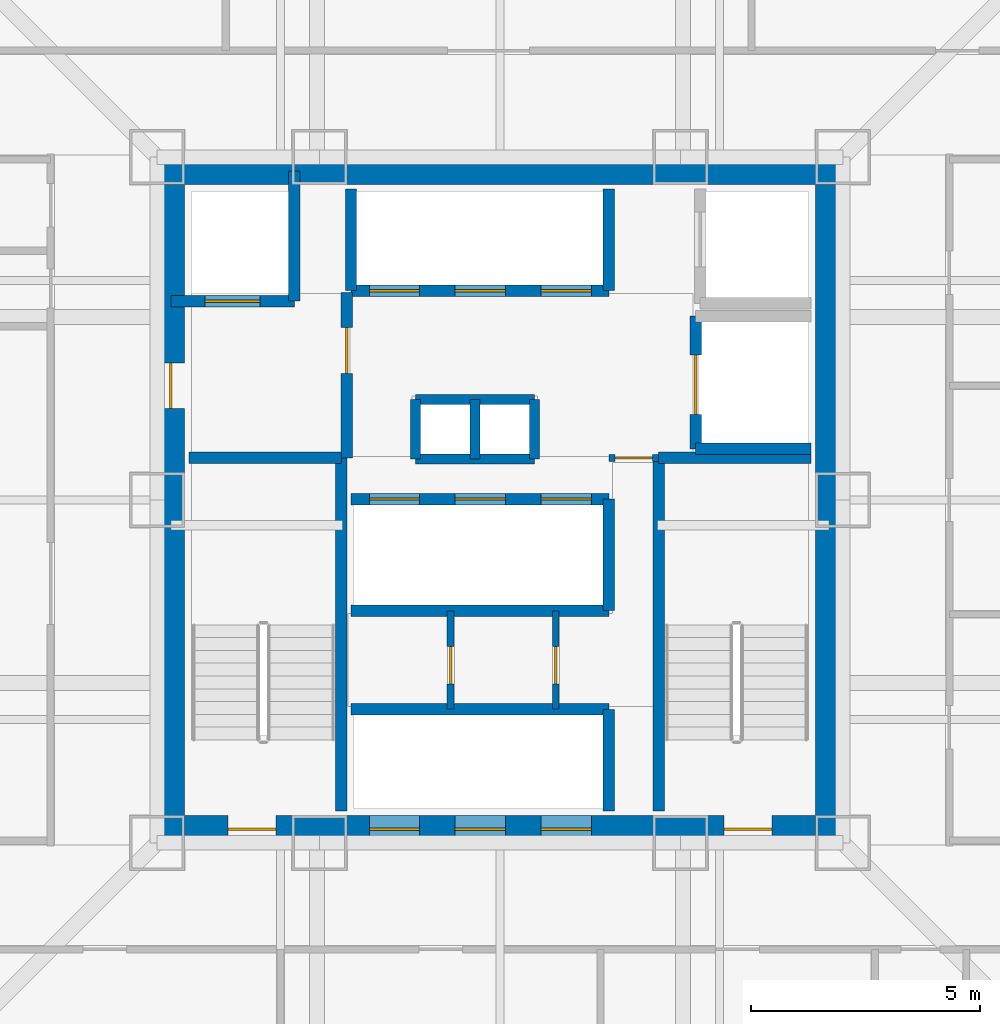
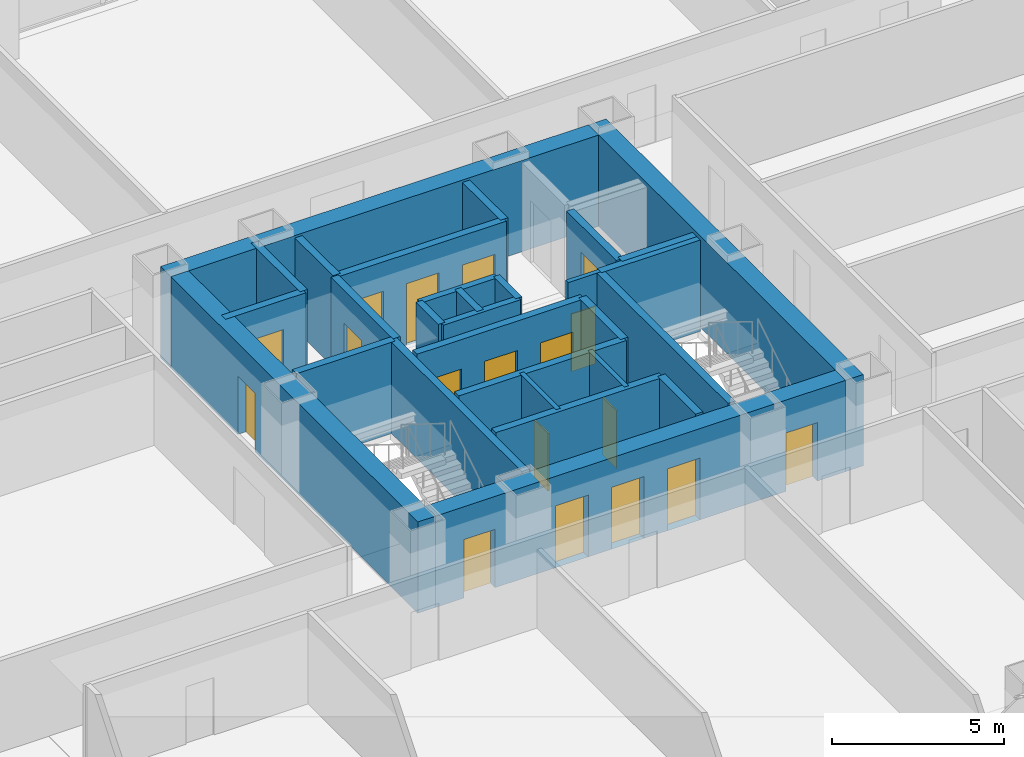
# One storey, part 11 of 15: 29 walls, 18 doors, 18 openings.
"""IFC4 building model written with IfcOpenShell, lengths in metres."""

from ifc_helpers import new_model, si_unit, direction, frame, frame_2d, origin, place, context, subcontext, project, spatial, rectangle, extrude, material, layer, layer_set, type_object, element, fill, save


model = new_model("IFC4")

# Units and contexts
model_context = context("Model", 3, precision=1e-05, world=origin(), true_north=direction((0.0, 1.0)))
body_context = subcontext(model_context, "Body", "Model", "MODEL_VIEW")
ifc_project = project(units=[si_unit("LENGTHUNIT", "METRE"), si_unit("AREAUNIT", "SQUARE_METRE"), si_unit("VOLUMEUNIT", "CUBIC_METRE"), si_unit("PLANEANGLEUNIT", "RADIAN"), si_unit("MASSUNIT", "GRAM", prefix="KILO")], contexts=[model_context])

# Site, building, storey
site_placement = place(None, origin())
site = spatial("IfcSite", under=ifc_project, at=site_placement, CompositionType="ELEMENT")
building_placement = place(site_placement, origin())
building = spatial("IfcBuilding", under=site, at=building_placement, Name="Trevonay Congress Spire", CompositionType="ELEMENT")
storey_placement = place(building_placement, frame((0.0, 0.0, 44.5)))
storey = spatial("IfcBuildingStorey", under=building, at=storey_placement, Name="L10", CompositionType="ELEMENT", Elevation=44.5)

# Wall, openings, doors
ifc_material_1 = material(Name="Concrete C60/75", Category="concrete")
ifc_layer_1 = layer(ifc_material_1, 0.60009765625, Name="Concrete C60/75")
ifc_layer_set_1 = layer_set([ifc_layer_1], Name="Concrete C60/75")
wall_type_1 = type_object("IfcWallType", Name="WAL-CORE-600", PredefinedType="SHEAR", material=ifc_layer_set_1)
wall_1_placement = place(storey_placement, frame((-7.5, -7.199951171875, 0.0), z_axis=(0.0, 0.0, 1.0), x_axis=(1.0, 0.0, 0.0)))
wall_1 = element("IfcWall", 1, at=wall_1_placement, inside=storey, type_object=wall_type_1, Name="L10 South structural core shear wall", PredefinedType="SHEAR", context=body_context, shape_type="SweptSolid", body=[
    extrude(rectangle(XDim=15.0, YDim=0.60009765625, at=frame_2d((7.5, 0.0))), origin(), (0.0, 0.0, 1.0), 3.25),
])
opening_1_placement = place(wall_1_placement, frame((1.550048828125, 0.0, 0.0)))
opening_1 = element("IfcOpeningElement", 2, at=opening_1_placement, cuts=wall_1, Name="Opening D05", PredefinedType="OPENING", context=body_context, shape_type="SweptSolid", body=[
    extrude(rectangle(XDim=1.050048828125, YDim=2.080078125, at=frame_2d((0.52490234375, 1.0400390625))), frame((0.0, 0.31005859375, 0.0), z_axis=(0.0, -1.0, 0.0), x_axis=(1.0, 0.0, 0.0)), (0.0, 0.0, 1.0), 0.6201171875),
])
opening_2_placement = place(wall_1_placement, frame((12.39990234375, 0.0, 0.0)))
opening_2 = element("IfcOpeningElement", 3, at=opening_2_placement, cuts=wall_1, Name="Opening D05", PredefinedType="OPENING", context=body_context, shape_type="SweptSolid", body=[
    extrude(rectangle(XDim=1.050048828125, YDim=2.080078125, at=frame_2d((0.52490234375, 1.0400390625))), frame((0.0, 0.31005859375, 0.0), z_axis=(0.0, -1.0, 0.0), x_axis=(1.0, 0.0, 0.0)), (0.0, 0.0, 1.0), 0.6201171875),
])
opening_3_placement = place(wall_1_placement, frame((4.639892578125, 0.0, 0.0)))
opening_3 = element("IfcOpeningElement", 4, at=opening_3_placement, cuts=wall_1, Name="Opening LD01", PredefinedType="OPENING", context=body_context, shape_type="SweptSolid", body=[
    extrude(rectangle(XDim=1.10009765625, YDim=2.199951171875, at=frame_2d((0.550048828125, 1.10009765625))), frame((0.0, 0.31005859375, 0.0), z_axis=(0.0, -1.0, 0.0), x_axis=(1.0, 0.0, 0.0)), (0.0, 0.0, 1.0), 0.6201171875),
])
opening_4_placement = place(wall_1_placement, frame((6.52001953125, 0.0, 0.0)))
opening_4 = element("IfcOpeningElement", 5, at=opening_4_placement, cuts=wall_1, Name="Opening LD01", PredefinedType="OPENING", context=body_context, shape_type="SweptSolid", body=[
    extrude(rectangle(XDim=1.10009765625, YDim=2.199951171875, at=frame_2d((0.550048828125, 1.10009765625))), frame((0.0, 0.31005859375, 0.0), z_axis=(0.0, -1.0, 0.0), x_axis=(1.0, 0.0, 0.0)), (0.0, 0.0, 1.0), 0.6201171875),
])
opening_5_placement = place(wall_1_placement, frame((8.39990234375, 0.0, 0.0)))
opening_5 = element("IfcOpeningElement", 6, at=opening_5_placement, cuts=wall_1, Name="Opening LD01", PredefinedType="OPENING", context=body_context, shape_type="SweptSolid", body=[
    extrude(rectangle(XDim=1.10009765625, YDim=2.199951171875, at=frame_2d((0.550048828125, 1.10009765625))), frame((0.0, 0.31005859375, 0.0), z_axis=(0.0, -1.0, 0.0), x_axis=(1.0, 0.0, 0.0)), (0.0, 0.0, 1.0), 0.6201171875),
])
ifc_material_2 = material(Name="Pale Anodised Aluminium EN AW-6063-T6", Category="aluminium")
door_type_1 = type_object("IfcDoorType", Name="DOR-LIFT-LD01", OperationType="DOUBLE_DOOR_SLIDING", PredefinedType="DOOR", material=ifc_material_2)
door_1_placement = place(opening_3_placement, origin())
door_1 = element("IfcDoor", 7, at=door_1_placement, inside=storey, type_object=door_type_1, Name="L10 Passenger lift PL-01 landing door", OperationType="DOUBLE_DOOR_SLIDING", OverallHeight=2.199951171875, OverallWidth=1.10009765625, PredefinedType="DOOR", context=body_context, shape_type="SweptSolid", body=[
    extrude(rectangle(XDim=1.10009765625, YDim=2.199951171875, at=frame_2d((0.550048828125, 1.10009765625))), frame((0.0, 0.02490234375, 0.0), z_axis=(0.0, -1.0, 0.0), x_axis=(1.0, 0.0, 0.0)), (0.0, 0.0, 1.0), 0.050048828125),
])
fill(opening_3, door_1)
door_2_placement = place(opening_4_placement, origin())
door_2 = element("IfcDoor", 8, at=door_2_placement, inside=storey, type_object=door_type_1, Name="L10 Passenger lift PL-02 landing door", OperationType="DOUBLE_DOOR_SLIDING", OverallHeight=2.199951171875, OverallWidth=1.10009765625, PredefinedType="DOOR", context=body_context, shape_type="SweptSolid", body=[
    extrude(rectangle(XDim=1.10009765625, YDim=2.199951171875, at=frame_2d((0.550048828125, 1.10009765625))), frame((0.0, 0.02490234375, 0.0), z_axis=(0.0, -1.0, 0.0), x_axis=(1.0, 0.0, 0.0)), (0.0, 0.0, 1.0), 0.050048828125),
])
fill(opening_4, door_2)
door_3_placement = place(opening_5_placement, origin())
door_3 = element("IfcDoor", 9, at=door_3_placement, inside=storey, type_object=door_type_1, Name="L10 Passenger lift PL-03 landing door", OperationType="DOUBLE_DOOR_SLIDING", OverallHeight=2.199951171875, OverallWidth=1.10009765625, PredefinedType="DOOR", context=body_context, shape_type="SweptSolid", body=[
    extrude(rectangle(XDim=1.10009765625, YDim=2.199951171875, at=frame_2d((0.550048828125, 1.10009765625))), frame((0.0, 0.02490234375, 0.0), z_axis=(0.0, -1.0, 0.0), x_axis=(1.0, 0.0, 0.0)), (0.0, 0.0, 1.0), 0.050048828125),
])
fill(opening_5, door_3)
ifc_material_3 = material(Name="Steel ASTM A572 Grade 50", Category="steel")
door_type_2 = type_object("IfcDoorType", Name="DOR-STAIR-110", OperationType="NOTDEFINED", PredefinedType="DOOR", material=ifc_material_3)
door_4_placement = place(opening_1_placement, origin())
door_4 = element("IfcDoor", 10, at=door_4_placement, inside=storey, type_object=door_type_2, Name="L10 Protected Stair ST-1 Door", OperationType="SINGLE_SWING_LEFT", OverallHeight=2.080078125, OverallWidth=1.050048828125, PredefinedType="DOOR", context=body_context, shape_type="SweptSolid", body=[
    extrude(rectangle(XDim=1.050048828125, YDim=2.080078125, at=frame_2d((0.52490234375, 1.0400390625))), frame((0.0, 0.02490234375, 0.0), z_axis=(0.0, -1.0, 0.0), x_axis=(1.0, 0.0, 0.0)), (0.0, 0.0, 1.0), 0.050048828125),
])
fill(opening_1, door_4)
door_5_placement = place(opening_2_placement, origin())
door_5 = element("IfcDoor", 11, at=door_5_placement, inside=storey, type_object=door_type_2, Name="L10 Protected Stair ST-2 Door", OperationType="SINGLE_SWING_RIGHT", OverallHeight=2.080078125, OverallWidth=1.050048828125, PredefinedType="DOOR", context=body_context, shape_type="SweptSolid", body=[
    extrude(rectangle(XDim=1.050048828125, YDim=2.080078125, at=frame_2d((0.52490234375, 1.0400390625))), frame((0.0, 0.02490234375, 0.0), z_axis=(0.0, -1.0, 0.0), x_axis=(1.0, 0.0, 0.0)), (0.0, 0.0, 1.0), 0.050048828125),
])
fill(opening_2, door_5)

# Wall
wall_2_placement = place(storey_placement, frame((-7.5, 7.199951171875, 0.0), z_axis=(0.0, 0.0, 1.0), x_axis=(1.0, 0.0, 0.0)))
element("IfcWall", 12, at=wall_2_placement, inside=storey, type_object=wall_type_1, Name="L10 North structural core shear wall", PredefinedType="SHEAR", context=body_context, shape_type="SweptSolid", body=[
    extrude(rectangle(XDim=15.0, YDim=0.60009765625, at=frame_2d((7.5, 0.0))), origin(), (0.0, 0.0, 1.0), 3.25),
])

# Wall, opening, door
wall_3_placement = place(storey_placement, frame((-7.199951171875, -7.5, 0.0), z_axis=(0.0, 0.0, 1.0), x_axis=(0.0, 1.0, 0.0)))
wall_3 = element("IfcWall", 13, at=wall_3_placement, inside=storey, type_object=wall_type_1, Name="L10 West structural core shear wall", PredefinedType="SHEAR", context=body_context, shape_type="SweptSolid", body=[
    extrude(rectangle(XDim=15.0, YDim=0.60009765625, at=frame_2d((7.5, 0.0))), origin(), (0.0, 0.0, 1.0), 3.25),
])
opening_6_placement = place(wall_3_placement, frame((9.5, 0.0, 0.0)))
opening_6 = element("IfcOpeningElement", 14, at=opening_6_placement, cuts=wall_3, Name="Opening D06", PredefinedType="OPENING", context=body_context, shape_type="SweptSolid", body=[
    extrude(rectangle(XDim=1.0, YDim=2.080078125, at=frame_2d((0.5, 1.0400390625))), frame((0.0, 0.31005859375, 0.0), z_axis=(0.0, -1.0, 0.0), x_axis=(1.0, 0.0, 0.0)), (0.0, 0.0, 1.0), 0.6201171875),
])
door_type_3 = type_object("IfcDoorType", Name="DOR-FIRE-100", OperationType="NOTDEFINED", PredefinedType="DOOR", material=ifc_material_3)
door_6_placement = place(opening_6_placement, origin())
door_6 = element("IfcDoor", 15, at=door_6_placement, inside=storey, type_object=door_type_3, Name="L10 Firefighting Lift Lobby West Corridor Door", OperationType="SINGLE_SWING_LEFT", OverallHeight=2.080078125, OverallWidth=1.0, PredefinedType="DOOR", context=body_context, shape_type="SweptSolid", body=[
    extrude(rectangle(XDim=1.0, YDim=2.080078125, at=frame_2d((0.5, 1.0400390625))), frame((0.0, 0.02490234375, 0.0), z_axis=(0.0, -1.0, 0.0), x_axis=(1.0, 0.0, 0.0)), (0.0, 0.0, 1.0), 0.050048828125),
])
fill(opening_6, door_6)

# Wall
wall_4_placement = place(storey_placement, frame((7.199951171875, -7.5, 0.0), z_axis=(0.0, 0.0, 1.0), x_axis=(0.0, 1.0, 0.0)))
element("IfcWall", 16, at=wall_4_placement, inside=storey, type_object=wall_type_1, Name="L10 East structural core shear wall", PredefinedType="SHEAR", context=body_context, shape_type="SweptSolid", body=[
    extrude(rectangle(XDim=15.0, YDim=0.60009765625, at=frame_2d((7.5, 0.0))), origin(), (0.0, 0.0, 1.0), 3.25),
])

# Wall, opening, door
ifc_material_4 = material(Name="Concrete C40/50", Category="concrete")
ifc_layer_2 = layer(ifc_material_4, 0.14990234375, Name="Concrete C40/50")
ifc_layer_set_2 = layer_set([ifc_layer_2], Name="Concrete C40/50")
wall_type_2 = type_object("IfcWallType", Name="WAL-PART-150", PredefinedType="PARTITIONING", material=ifc_layer_set_2)
wall_5_placement = place(storey_placement, frame((2.3798828125, 0.919921875, 0.0), z_axis=(0.0, 0.0, 1.0), x_axis=(1.0, 0.0, 0.0)))
wall_5 = element("IfcWall", 17, at=wall_5_placement, inside=storey, type_object=wall_type_2, Name="L10 interior wall CW-CSRV-N-L10", PredefinedType="PARTITIONING", context=body_context, shape_type="SweptSolid", body=[
    extrude(rectangle(XDim=1.090087890625, YDim=0.14990234375, at=frame_2d((0.544921875, 0.0))), origin(), (0.0, 0.0, 1.0), 3.25),
])
opening_7_placement = place(wall_5_placement, frame((0.135009765625, 0.0, 0.0)))
opening_7 = element("IfcOpeningElement", 18, at=opening_7_placement, cuts=wall_5, Name="Opening D13", PredefinedType="OPENING", context=body_context, shape_type="SweptSolid", body=[
    extrude(rectangle(XDim=0.820068359375, YDim=2.050048828125, at=frame_2d((0.41015625, 1.02490234375))), frame((0.0, 0.0849609375, 0.0), z_axis=(0.0, -1.0, 0.0), x_axis=(1.0, 0.0, 0.0)), (0.0, 0.0, 1.0), 0.169921875),
])
door_type_4 = type_object("IfcDoorType", Name="DOR-UTIL-80", OperationType="NOTDEFINED", PredefinedType="DOOR", material=ifc_material_3)
door_7_placement = place(opening_7_placement, origin())
door_7 = element("IfcDoor", 19, at=door_7_placement, inside=storey, type_object=door_type_4, Name="L10 Core Service Pocket Door", OperationType="SINGLE_SWING_LEFT", OverallHeight=2.050048828125, OverallWidth=0.820068359375, PredefinedType="DOOR", context=body_context, shape_type="SweptSolid", body=[
    extrude(rectangle(XDim=0.820068359375, YDim=2.050048828125, at=frame_2d((0.41015625, 1.02490234375))), frame((0.0, 0.02490234375, 0.0), z_axis=(0.0, -1.0, 0.0), x_axis=(1.0, 0.0, 0.0)), (0.0, 0.0, 1.0), 0.050048828125),
])
fill(opening_7, door_7)

wall_6_placement = place(storey_placement, frame((-1.080078125, -4.570068359375, 0.0), z_axis=(0.0, 0.0, 1.0), x_axis=(0.0, 1.0, 0.0)))
wall_6 = element("IfcWall", 20, at=wall_6_placement, inside=storey, type_object=wall_type_2, Name="L10 interior wall CW-K3-IT-L10", PredefinedType="PARTITIONING", context=body_context, shape_type="SweptSolid", body=[
    extrude(rectangle(XDim=2.14013671875, YDim=0.14990234375, at=frame_2d((1.070068359375, 0.0))), origin(), (0.0, 0.0, 1.0), 3.25),
])
opening_8_placement = place(wall_6_placement, frame((0.550048828125, 0.0, 0.0)))
opening_8 = element("IfcOpeningElement", 21, at=opening_8_placement, cuts=wall_6, Name="Opening D13", PredefinedType="OPENING", context=body_context, shape_type="SweptSolid", body=[
    extrude(rectangle(XDim=0.820068359375, YDim=2.050048828125, at=frame_2d((0.41015625, 1.02490234375))), frame((0.0, 0.0849609375, 0.0), z_axis=(0.0, -1.0, 0.0), x_axis=(1.0, 0.0, 0.0)), (0.0, 0.0, 1.0), 0.169921875),
])
door_8_placement = place(opening_8_placement, origin())
door_8 = element("IfcDoor", 22, at=door_8_placement, inside=storey, type_object=door_type_4, Name="L10 Core IT Door", OperationType="SINGLE_SWING_RIGHT", OverallHeight=2.050048828125, OverallWidth=0.820068359375, PredefinedType="DOOR", context=body_context, shape_type="SweptSolid", body=[
    extrude(rectangle(XDim=0.820068359375, YDim=2.050048828125, at=frame_2d((0.41015625, 1.02490234375))), frame((0.0, 0.02490234375, 0.0), z_axis=(0.0, -1.0, 0.0), x_axis=(1.0, 0.0, 0.0)), (0.0, 0.0, 1.0), 0.050048828125),
])
fill(opening_8, door_8)

wall_7_placement = place(storey_placement, frame((1.219970703125, -4.570068359375, 0.0), z_axis=(0.0, 0.0, 1.0), x_axis=(0.0, 1.0, 0.0)))
wall_7 = element("IfcWall", 23, at=wall_7_placement, inside=storey, type_object=wall_type_2, Name="L10 interior wall CW-K3-JAN-L10", PredefinedType="PARTITIONING", context=body_context, shape_type="SweptSolid", body=[
    extrude(rectangle(XDim=2.14013671875, YDim=0.14990234375, at=frame_2d((1.070068359375, 0.0))), origin(), (0.0, 0.0, 1.0), 3.25),
])
opening_9_placement = place(wall_7_placement, frame((0.550048828125, 0.0, 0.0)))
opening_9 = element("IfcOpeningElement", 24, at=opening_9_placement, cuts=wall_7, Name="Opening D13", PredefinedType="OPENING", context=body_context, shape_type="SweptSolid", body=[
    extrude(rectangle(XDim=0.820068359375, YDim=2.050048828125, at=frame_2d((0.41015625, 1.02490234375))), frame((0.0, 0.0849609375, 0.0), z_axis=(0.0, -1.0, 0.0), x_axis=(1.0, 0.0, 0.0)), (0.0, 0.0, 1.0), 0.169921875),
])
door_9_placement = place(opening_9_placement, origin())
door_9 = element("IfcDoor", 25, at=door_9_placement, inside=storey, type_object=door_type_4, Name="L10 Core JAN Door", OperationType="SINGLE_SWING_LEFT", OverallHeight=2.050048828125, OverallWidth=0.820068359375, PredefinedType="DOOR", context=body_context, shape_type="SweptSolid", body=[
    extrude(rectangle(XDim=0.820068359375, YDim=2.050048828125, at=frame_2d((0.41015625, 1.02490234375))), frame((0.0, 0.02490234375, 0.0), z_axis=(0.0, -1.0, 0.0), x_axis=(1.0, 0.0, 0.0)), (0.0, 0.0, 1.0), 0.050048828125),
])
fill(opening_9, door_9)

# Walls
ifc_layer_3 = layer(ifc_material_4, 0.219970703125, Name="Concrete C40/50")
ifc_layer_set_3 = layer_set([ifc_layer_3], Name="Concrete C40/50")
wall_type_3 = type_object("IfcWallType", Name="WAL-SHAFT-220", PredefinedType="PARTITIONING", material=ifc_layer_set_3)
for number, where, z_axis, x_axis, name in (
    (26, (-1.85009765625, 2.199951171875, 0.0), (0.0, 0.0, 1.0), (1.0, 0.0, 0.0), "L10 interior shaft wall WSH-L10-RSR-N"),
    (27, (-1.85009765625, 0.89990234375, 0.0), (0.0, 0.0, 1.0), (1.0, 0.0, 0.0), "L10 interior shaft wall WSH-L10-RSR-S"),
):
    element("IfcWall", number, at=place(storey_placement, frame(where, z_axis=z_axis, x_axis=x_axis)), inside=storey, type_object=wall_type_3, Name=name, PredefinedType="PARTITIONING", context=body_context, shape_type="SweptSolid", body=[
        extrude(rectangle(XDim=2.60009765625, YDim=0.219970703125, at=frame_2d((1.300048828125, 0.0))), origin(), (0.0, 0.0, 1.0), 3.25),
    ])
for number, where, z_axis, x_axis, name in (
    (28, (-0.550048828125, 0.89990234375, 0.0), (0.0, 0.0, 1.0), (0.0, 1.0, 0.0), "L10 interior shaft wall WSH-L10-RSR-M"),
    (29, (0.75, 0.89990234375, 0.0), (0.0, 0.0, 1.0), (0.0, 1.0, 0.0), "L10 interior shaft wall WSH-L10-RSR-E"),
    (30, (-1.85009765625, 0.89990234375, 0.0), (0.0, 0.0, 1.0), (0.0, 1.0, 0.0), "L10 interior shaft wall WSH-L10-RSR-W"),
):
    element("IfcWall", number, at=place(storey_placement, frame(where, z_axis=z_axis, x_axis=x_axis)), inside=storey, type_object=wall_type_3, Name=name, PredefinedType="PARTITIONING", context=body_context, shape_type="SweptSolid", body=[
        extrude(rectangle(XDim=1.300048828125, YDim=0.219970703125, at=frame_2d((0.64990234375, 0.0))), origin(), (0.0, 0.0, 1.0), 3.25),
    ])
ifc_layer_4 = layer(ifc_material_4, 0.25, Name="Concrete C40/50")
ifc_layer_set_4 = layer_set([ifc_layer_4], Name="Concrete C40/50")
wall_type_4 = type_object("IfcWallType", Name="WAL-SHAFT-250", PredefinedType="SHEAR", material=ifc_layer_set_4)
wall_8_placement = place(storey_placement, frame((-3.260009765625, -4.580078125, 0.0), z_axis=(0.0, 0.0, 1.0), x_axis=(1.0, 0.0, 0.0)))
element("IfcWall", 31, at=wall_8_placement, inside=storey, type_object=wall_type_4, Name="L10 interior shaft wall WSH-L10-B1-N", PredefinedType="SHEAR", context=body_context, shape_type="SweptSolid", body=[
    extrude(rectangle(XDim=5.639892578125, YDim=0.25, at=frame_2d((2.81982421875, 0.0))), origin(), (0.0, 0.0, 1.0), 3.25),
])
wall_9_placement = place(storey_placement, frame((2.3798828125, -6.800048828125, 0.0), z_axis=(0.0, 0.0, 1.0), x_axis=(0.0, 1.0, 0.0)))
element("IfcWall", 32, at=wall_9_placement, inside=storey, type_object=wall_type_4, Name="L10 interior shaft wall WSH-L10-B1-E", PredefinedType="SHEAR", context=body_context, shape_type="SweptSolid", body=[
    extrude(rectangle(XDim=2.219970703125, YDim=0.25, at=frame_2d((1.10986328125, 0.0))), origin(), (0.0, 0.0, 1.0), 3.25),
])

# Wall, openings, doors
wall_10_placement = place(storey_placement, frame((-3.260009765625, 0.02001953125, 0.0), z_axis=(0.0, 0.0, 1.0), x_axis=(1.0, 0.0, 0.0)))
wall_10 = element("IfcWall", 33, at=wall_10_placement, inside=storey, type_object=wall_type_4, Name="L10 interior shaft wall WSH-L10-B2-N", PredefinedType="SHEAR", context=body_context, shape_type="SweptSolid", body=[
    extrude(rectangle(XDim=5.639892578125, YDim=0.25, at=frame_2d((2.81982421875, 0.0))), origin(), (0.0, 0.0, 1.0), 3.25),
])
opening_10_placement = place(wall_10_placement, frame((0.39990234375, 0.0, 0.0)))
opening_10 = element("IfcOpeningElement", 34, at=opening_10_placement, cuts=wall_10, Name="Opening LD02", PredefinedType="OPENING", context=body_context, shape_type="SweptSolid", body=[
    extrude(rectangle(XDim=1.10009765625, YDim=2.199951171875, at=frame_2d((0.550048828125, 1.10009765625))), frame((0.0, 0.135009765625, 0.0), z_axis=(0.0, -1.0, 0.0), x_axis=(1.0, 0.0, 0.0)), (0.0, 0.0, 1.0), 0.27001953125),
])
opening_11_placement = place(wall_10_placement, frame((2.280029296875, 0.0, 0.0)))
opening_11 = element("IfcOpeningElement", 35, at=opening_11_placement, cuts=wall_10, Name="Opening LD02", PredefinedType="OPENING", context=body_context, shape_type="SweptSolid", body=[
    extrude(rectangle(XDim=1.10009765625, YDim=2.199951171875, at=frame_2d((0.550048828125, 1.10009765625))), frame((0.0, 0.135009765625, 0.0), z_axis=(0.0, -1.0, 0.0), x_axis=(1.0, 0.0, 0.0)), (0.0, 0.0, 1.0), 0.27001953125),
])
opening_12_placement = place(wall_10_placement, frame((4.159912109375, 0.0, 0.0)))
opening_12 = element("IfcOpeningElement", 36, at=opening_12_placement, cuts=wall_10, Name="Opening LD02", PredefinedType="OPENING", context=body_context, shape_type="SweptSolid", body=[
    extrude(rectangle(XDim=1.10009765625, YDim=2.199951171875, at=frame_2d((0.550048828125, 1.10009765625))), frame((0.0, 0.135009765625, 0.0), z_axis=(0.0, -1.0, 0.0), x_axis=(1.0, 0.0, 0.0)), (0.0, 0.0, 1.0), 0.27001953125),
])
door_type_5 = type_object("IfcDoorType", Name="DOR-LIFT-LD02", OperationType="DOUBLE_DOOR_SLIDING", PredefinedType="DOOR", material=ifc_material_2)
door_10_placement = place(opening_10_placement, origin())
door_10 = element("IfcDoor", 37, at=door_10_placement, inside=storey, type_object=door_type_5, Name="L10 Passenger lift PL-04 landing door", OperationType="DOUBLE_DOOR_SLIDING", OverallHeight=2.199951171875, OverallWidth=1.10009765625, PredefinedType="DOOR", context=body_context, shape_type="SweptSolid", body=[
    extrude(rectangle(XDim=1.10009765625, YDim=2.199951171875, at=frame_2d((0.550048828125, 1.10009765625))), frame((0.0, 0.02490234375, 0.0), z_axis=(0.0, -1.0, 0.0), x_axis=(1.0, 0.0, 0.0)), (0.0, 0.0, 1.0), 0.050048828125),
])
fill(opening_10, door_10)
door_11_placement = place(opening_11_placement, origin())
door_11 = element("IfcDoor", 38, at=door_11_placement, inside=storey, type_object=door_type_5, Name="L10 Passenger lift PL-05 landing door", OperationType="DOUBLE_DOOR_SLIDING", OverallHeight=2.199951171875, OverallWidth=1.10009765625, PredefinedType="DOOR", context=body_context, shape_type="SweptSolid", body=[
    extrude(rectangle(XDim=1.10009765625, YDim=2.199951171875, at=frame_2d((0.550048828125, 1.10009765625))), frame((0.0, 0.02490234375, 0.0), z_axis=(0.0, -1.0, 0.0), x_axis=(1.0, 0.0, 0.0)), (0.0, 0.0, 1.0), 0.050048828125),
])
fill(opening_11, door_11)
door_12_placement = place(opening_12_placement, origin())
door_12 = element("IfcDoor", 39, at=door_12_placement, inside=storey, type_object=door_type_5, Name="L10 Passenger lift PL-06 landing door", OperationType="DOUBLE_DOOR_SLIDING", OverallHeight=2.199951171875, OverallWidth=1.10009765625, PredefinedType="DOOR", context=body_context, shape_type="SweptSolid", body=[
    extrude(rectangle(XDim=1.10009765625, YDim=2.199951171875, at=frame_2d((0.550048828125, 1.10009765625))), frame((0.0, 0.02490234375, 0.0), z_axis=(0.0, -1.0, 0.0), x_axis=(1.0, 0.0, 0.0)), (0.0, 0.0, 1.0), 0.050048828125),
])
fill(opening_12, door_12)

# Walls
wall_11_placement = place(storey_placement, frame((-3.260009765625, -2.419921875, 0.0), z_axis=(0.0, 0.0, 1.0), x_axis=(1.0, 0.0, 0.0)))
element("IfcWall", 40, at=wall_11_placement, inside=storey, type_object=wall_type_4, Name="L10 interior shaft wall WSH-L10-B2-S", PredefinedType="SHEAR", context=body_context, shape_type="SweptSolid", body=[
    extrude(rectangle(XDim=5.639892578125, YDim=0.25, at=frame_2d((2.81982421875, 0.0))), origin(), (0.0, 0.0, 1.0), 3.25),
])
wall_12_placement = place(storey_placement, frame((2.3798828125, -2.419921875, 0.0), z_axis=(0.0, 0.0, 1.0), x_axis=(0.0, 1.0, 0.0)))
element("IfcWall", 41, at=wall_12_placement, inside=storey, type_object=wall_type_4, Name="L10 interior shaft wall WSH-L10-B2-E", PredefinedType="SHEAR", context=body_context, shape_type="SweptSolid", body=[
    extrude(rectangle(XDim=2.43994140625, YDim=0.25, at=frame_2d((1.219970703125, 0.0))), origin(), (0.0, 0.0, 1.0), 3.25),
])

# Wall, openings, doors
wall_13_placement = place(storey_placement, frame((-3.260009765625, 4.580078125, 0.0), z_axis=(0.0, 0.0, 1.0), x_axis=(1.0, 0.0, 0.0)))
wall_13 = element("IfcWall", 42, at=wall_13_placement, inside=storey, type_object=wall_type_4, Name="L10 interior shaft wall WSH-L10-B3-S", PredefinedType="SHEAR", context=body_context, shape_type="SweptSolid", body=[
    extrude(rectangle(XDim=5.639892578125, YDim=0.25, at=frame_2d((2.81982421875, 0.0))), origin(), (0.0, 0.0, 1.0), 3.25),
])
opening_13_placement = place(wall_13_placement, frame((0.39990234375, 0.0, 0.0)))
opening_13 = element("IfcOpeningElement", 43, at=opening_13_placement, cuts=wall_13, Name="Opening LD03", PredefinedType="OPENING", context=body_context, shape_type="SweptSolid", body=[
    extrude(rectangle(XDim=1.10009765625, YDim=2.199951171875, at=frame_2d((0.550048828125, 1.10009765625))), frame((0.0, 0.135009765625, 0.0), z_axis=(0.0, -1.0, 0.0), x_axis=(1.0, 0.0, 0.0)), (0.0, 0.0, 1.0), 0.27001953125),
])
opening_14_placement = place(wall_13_placement, frame((2.280029296875, 0.0, 0.0)))
opening_14 = element("IfcOpeningElement", 44, at=opening_14_placement, cuts=wall_13, Name="Opening LD03", PredefinedType="OPENING", context=body_context, shape_type="SweptSolid", body=[
    extrude(rectangle(XDim=1.10009765625, YDim=2.199951171875, at=frame_2d((0.550048828125, 1.10009765625))), frame((0.0, 0.135009765625, 0.0), z_axis=(0.0, -1.0, 0.0), x_axis=(1.0, 0.0, 0.0)), (0.0, 0.0, 1.0), 0.27001953125),
])
opening_15_placement = place(wall_13_placement, frame((4.159912109375, 0.0, 0.0)))
opening_15 = element("IfcOpeningElement", 45, at=opening_15_placement, cuts=wall_13, Name="Opening LD03", PredefinedType="OPENING", context=body_context, shape_type="SweptSolid", body=[
    extrude(rectangle(XDim=1.10009765625, YDim=2.199951171875, at=frame_2d((0.550048828125, 1.10009765625))), frame((0.0, 0.135009765625, 0.0), z_axis=(0.0, -1.0, 0.0), x_axis=(1.0, 0.0, 0.0)), (0.0, 0.0, 1.0), 0.27001953125),
])
door_type_6 = type_object("IfcDoorType", Name="DOR-LIFT-LD03", OperationType="DOUBLE_DOOR_SLIDING", PredefinedType="DOOR", material=ifc_material_2)
door_13_placement = place(opening_13_placement, origin())
door_13 = element("IfcDoor", 46, at=door_13_placement, inside=storey, type_object=door_type_6, Name="L10 Passenger lift PL-07 landing door", OperationType="DOUBLE_DOOR_SLIDING", OverallHeight=2.199951171875, OverallWidth=1.10009765625, PredefinedType="DOOR", context=body_context, shape_type="SweptSolid", body=[
    extrude(rectangle(XDim=1.10009765625, YDim=2.199951171875, at=frame_2d((0.550048828125, 1.10009765625))), frame((0.0, 0.02490234375, 0.0), z_axis=(0.0, -1.0, 0.0), x_axis=(1.0, 0.0, 0.0)), (0.0, 0.0, 1.0), 0.050048828125),
])
fill(opening_13, door_13)
door_14_placement = place(opening_14_placement, origin())
door_14 = element("IfcDoor", 47, at=door_14_placement, inside=storey, type_object=door_type_6, Name="L10 Passenger lift PL-08 landing door", OperationType="DOUBLE_DOOR_SLIDING", OverallHeight=2.199951171875, OverallWidth=1.10009765625, PredefinedType="DOOR", context=body_context, shape_type="SweptSolid", body=[
    extrude(rectangle(XDim=1.10009765625, YDim=2.199951171875, at=frame_2d((0.550048828125, 1.10009765625))), frame((0.0, 0.02490234375, 0.0), z_axis=(0.0, -1.0, 0.0), x_axis=(1.0, 0.0, 0.0)), (0.0, 0.0, 1.0), 0.050048828125),
])
fill(opening_14, door_14)
door_15_placement = place(opening_15_placement, origin())
door_15 = element("IfcDoor", 48, at=door_15_placement, inside=storey, type_object=door_type_6, Name="L10 Passenger lift PL-09 landing door", OperationType="DOUBLE_DOOR_SLIDING", OverallHeight=2.199951171875, OverallWidth=1.10009765625, PredefinedType="DOOR", context=body_context, shape_type="SweptSolid", body=[
    extrude(rectangle(XDim=1.10009765625, YDim=2.199951171875, at=frame_2d((0.550048828125, 1.10009765625))), frame((0.0, 0.02490234375, 0.0), z_axis=(0.0, -1.0, 0.0), x_axis=(1.0, 0.0, 0.0)), (0.0, 0.0, 1.0), 0.050048828125),
])
fill(opening_15, door_15)

# Walls
for number, where, z_axis, x_axis, name in (
    (49, (-3.260009765625, 4.580078125, 0.0), (0.0, 0.0, 1.0), (0.0, 1.0, 0.0), "L10 interior shaft wall WSH-L10-B3-W"),
    (50, (2.3798828125, 4.580078125, 0.0), (0.0, 0.0, 1.0), (0.0, 1.0, 0.0), "L10 interior shaft wall WSH-L10-B3-E"),
):
    element("IfcWall", number, at=place(storey_placement, frame(where, z_axis=z_axis, x_axis=x_axis)), inside=storey, type_object=wall_type_4, Name=name, PredefinedType="SHEAR", context=body_context, shape_type="SweptSolid", body=[
        extrude(rectangle(XDim=2.219970703125, YDim=0.25, at=frame_2d((1.10986328125, 0.0))), origin(), (0.0, 0.0, 1.0), 3.25),
    ])

# Wall, opening, door
wall_14_placement = place(storey_placement, frame((-7.199951171875, 4.35009765625, 0.0), z_axis=(0.0, 0.0, 1.0), x_axis=(1.0, 0.0, 0.0)))
wall_14 = element("IfcWall", 51, at=wall_14_placement, inside=storey, type_object=wall_type_4, Name="L10 interior shaft wall WSH-L10-FF1-S", PredefinedType="SHEAR", context=body_context, shape_type="SweptSolid", body=[
    extrude(rectangle(XDim=2.699951171875, YDim=0.25, at=frame_2d((1.35009765625, 0.0))), origin(), (0.0, 0.0, 1.0), 3.25),
])
opening_16_placement = place(wall_14_placement, frame((0.75, 0.0, 0.0)))
opening_16 = element("IfcOpeningElement", 52, at=opening_16_placement, cuts=wall_14, Name="Opening LD04", PredefinedType="OPENING", context=body_context, shape_type="SweptSolid", body=[
    extrude(rectangle(XDim=1.199951171875, YDim=2.199951171875, at=frame_2d((0.60009765625, 1.10009765625))), frame((0.0, 0.135009765625, 0.0), z_axis=(0.0, -1.0, 0.0), x_axis=(1.0, 0.0, 0.0)), (0.0, 0.0, 1.0), 0.27001953125),
])
door_type_7 = type_object("IfcDoorType", Name="DOR-LIFT-LD04", OperationType="DOUBLE_DOOR_SLIDING", PredefinedType="DOOR", material=ifc_material_3)
door_16_placement = place(opening_16_placement, origin())
door_16 = element("IfcDoor", 53, at=door_16_placement, inside=storey, type_object=door_type_7, Name="L10 Firefighting lift FFL-01 landing door", OperationType="DOUBLE_DOOR_SLIDING", OverallHeight=2.199951171875, OverallWidth=1.199951171875, PredefinedType="DOOR", context=body_context, shape_type="SweptSolid", body=[
    extrude(rectangle(XDim=1.199951171875, YDim=2.199951171875, at=frame_2d((0.60009765625, 1.10009765625))), frame((0.0, 0.02490234375, 0.0), z_axis=(0.0, -1.0, 0.0), x_axis=(1.0, 0.0, 0.0)), (0.0, 0.0, 1.0), 0.050048828125),
])
fill(opening_16, door_16)

# Wall
wall_15_placement = place(storey_placement, frame((-4.5, 4.35009765625, 0.0), z_axis=(0.0, 0.0, 1.0), x_axis=(0.0, 1.0, 0.0)))
element("IfcWall", 54, at=wall_15_placement, inside=storey, type_object=wall_type_4, Name="L10 interior shaft wall WSH-L10-FF1-E", PredefinedType="SHEAR", context=body_context, shape_type="SweptSolid", body=[
    extrude(rectangle(XDim=2.849853515625, YDim=0.25, at=frame_2d((1.4248046875, 0.0))), origin(), (0.0, 0.0, 1.0), 3.25),
])

# Wall, opening, door
wall_16_placement = place(storey_placement, frame((4.280029296875, 1.1201171875, 0.0), z_axis=(0.0, 0.0, 1.0), x_axis=(0.0, 1.0, 0.0)))
wall_16 = element("IfcWall", 55, at=wall_16_placement, inside=storey, type_object=wall_type_4, Name="L10 interior shaft wall WSH-L10-SV-W", PredefinedType="SHEAR", context=body_context, shape_type="SweptSolid", body=[
    extrude(rectangle(XDim=2.89990234375, YDim=0.25, at=frame_2d((1.449951171875, 0.0))), origin(), (0.0, 0.0, 1.0), 3.25),
])
opening_17_placement = place(wall_16_placement, frame((0.75, 0.0, 0.0)))
opening_17 = element("IfcOpeningElement", 56, at=opening_17_placement, cuts=wall_16, Name="Opening LD05", PredefinedType="OPENING", context=body_context, shape_type="SweptSolid", body=[
    extrude(rectangle(XDim=1.300048828125, YDim=2.300048828125, at=frame_2d((0.64990234375, 1.14990234375))), frame((0.0, 0.135009765625, 0.0), z_axis=(0.0, -1.0, 0.0), x_axis=(1.0, 0.0, 0.0)), (0.0, 0.0, 1.0), 0.27001953125),
])
door_type_8 = type_object("IfcDoorType", Name="DOR-LIFT-LD05", OperationType="DOUBLE_DOOR_SLIDING", PredefinedType="DOOR", material=ifc_material_3)
door_17_placement = place(opening_17_placement, origin())
door_17 = element("IfcDoor", 57, at=door_17_placement, inside=storey, type_object=door_type_8, Name="L10 Goods lift SVL-01 landing door", OperationType="DOUBLE_DOOR_SLIDING", OverallHeight=2.300048828125, OverallWidth=1.300048828125, PredefinedType="DOOR", context=body_context, shape_type="SweptSolid", body=[
    extrude(rectangle(XDim=1.300048828125, YDim=2.300048828125, at=frame_2d((0.64990234375, 1.14990234375))), frame((0.0, 0.02490234375, 0.0), z_axis=(0.0, -1.0, 0.0), x_axis=(1.0, 0.0, 0.0)), (0.0, 0.0, 1.0), 0.050048828125),
])
fill(opening_17, door_17)

# Wall
wall_17_placement = place(storey_placement, frame((4.280029296875, 1.1201171875, 0.0), z_axis=(0.0, 0.0, 1.0), x_axis=(1.0, 0.0, 0.0)))
element("IfcWall", 58, at=wall_17_placement, inside=storey, type_object=wall_type_4, Name="L10 interior shaft wall WSH-L10-SV-S", PredefinedType="SHEAR", context=body_context, shape_type="SweptSolid", body=[
    extrude(rectangle(XDim=2.52001953125, YDim=0.25, at=frame_2d((1.260009765625, 0.0))), origin(), (0.0, 0.0, 1.0), 3.25),
])

# Wall, opening, door
wall_18_placement = place(storey_placement, frame((-3.35009765625, 0.919921875, 0.0), z_axis=(0.0, 0.0, 1.0), x_axis=(0.0, 1.0, 0.0)))
wall_18 = element("IfcWall", 59, at=wall_18_placement, inside=storey, type_object=wall_type_4, Name="L10 interior wall CW-FFLW-E-L10", PredefinedType="SHEAR", context=body_context, shape_type="SweptSolid", body=[
    extrude(rectangle(XDim=3.6201171875, YDim=0.25, at=frame_2d((1.81005859375, 0.0))), origin(), (0.0, 0.0, 1.0), 3.25),
])
opening_18_placement = place(wall_18_placement, frame((1.85009765625, 0.0, 0.0)))
opening_18 = element("IfcOpeningElement", 60, at=opening_18_placement, cuts=wall_18, Name="Opening D06", PredefinedType="OPENING", context=body_context, shape_type="SweptSolid", body=[
    extrude(rectangle(XDim=1.0, YDim=2.080078125, at=frame_2d((0.5, 1.0400390625))), frame((0.0, 0.135009765625, 0.0), z_axis=(0.0, -1.0, 0.0), x_axis=(1.0, 0.0, 0.0)), (0.0, 0.0, 1.0), 0.27001953125),
])
door_18_placement = place(opening_18_placement, origin())
door_18 = element("IfcDoor", 61, at=door_18_placement, inside=storey, type_object=door_type_3, Name="L10 Firefighting Core Lobby Transfer Door", OperationType="SINGLE_SWING_RIGHT", OverallHeight=2.080078125, OverallWidth=1.0, PredefinedType="DOOR", context=body_context, shape_type="SweptSolid", body=[
    extrude(rectangle(XDim=1.0, YDim=2.080078125, at=frame_2d((0.5, 1.0400390625))), frame((0.0, 0.02490234375, 0.0), z_axis=(0.0, -1.0, 0.0), x_axis=(1.0, 0.0, 0.0)), (0.0, 0.0, 1.0), 0.050048828125),
])
fill(opening_18, door_18)

# Walls
ifc_layer_5 = layer(ifc_material_4, 0.25, Name="Concrete C40/50")
ifc_layer_set_5 = layer_set([ifc_layer_5], Name="Concrete C40/50")
wall_type_5 = type_object("IfcWallType", Name="WAL-SHAFT-LB-250", PredefinedType="SHEAR", material=ifc_layer_set_5)
wall_19_placement = place(storey_placement, frame((-3.469970703125, -6.800048828125, 0.0), z_axis=(0.0, 0.0, 1.0), x_axis=(0.0, 1.0, 0.0)))
element("IfcWall", 62, at=wall_19_placement, inside=storey, type_object=wall_type_5, Name="L10 interior shaft wall WSH-L10-ST1-E", PredefinedType="SHEAR", context=body_context, shape_type="SweptSolid", body=[
    extrude(rectangle(XDim=7.719970703125, YDim=0.25, at=frame_2d((3.85986328125, 0.0))), origin(), (0.0, 0.0, 1.0), 3.25),
])
wall_20_placement = place(storey_placement, frame((-6.800048828125, 0.919921875, 0.0), z_axis=(0.0, 0.0, 1.0), x_axis=(1.0, 0.0, 0.0)))
element("IfcWall", 63, at=wall_20_placement, inside=storey, type_object=wall_type_5, Name="L10 interior shaft wall WSH-L10-ST1-N", PredefinedType="SHEAR", context=body_context, shape_type="SweptSolid", body=[
    extrude(rectangle(XDim=3.330078125, YDim=0.25, at=frame_2d((1.6650390625, 0.0))), origin(), (0.0, 0.0, 1.0), 3.25),
])
wall_21_placement = place(storey_placement, frame((3.469970703125, -6.800048828125, 0.0), z_axis=(0.0, 0.0, 1.0), x_axis=(0.0, 1.0, 0.0)))
element("IfcWall", 64, at=wall_21_placement, inside=storey, type_object=wall_type_5, Name="L10 interior shaft wall WSH-L10-ST2-W", PredefinedType="SHEAR", context=body_context, shape_type="SweptSolid", body=[
    extrude(rectangle(XDim=7.719970703125, YDim=0.25, at=frame_2d((3.85986328125, 0.0))), origin(), (0.0, 0.0, 1.0), 3.25),
])
wall_22_placement = place(storey_placement, frame((3.469970703125, 0.919921875, 0.0), z_axis=(0.0, 0.0, 1.0), x_axis=(1.0, 0.0, 0.0)))
element("IfcWall", 65, at=wall_22_placement, inside=storey, type_object=wall_type_5, Name="L10 interior shaft wall WSH-L10-ST2-N", PredefinedType="SHEAR", context=body_context, shape_type="SweptSolid", body=[
    extrude(rectangle(XDim=3.330078125, YDim=0.25, at=frame_2d((1.6650390625, 0.0))), origin(), (0.0, 0.0, 1.0), 3.25),
])

save(model, "model.ifc")
